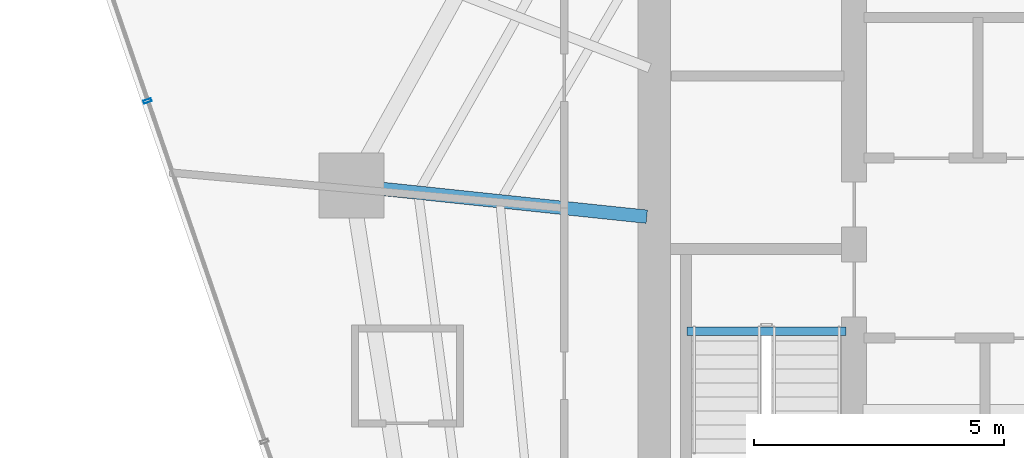
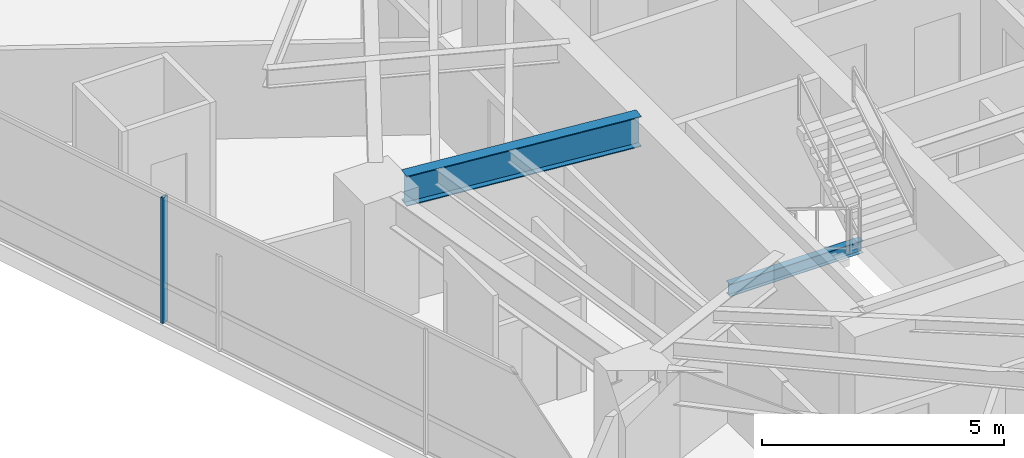
# One storey, part 9 of 33: 2 beams, 1 member, 1 element without a shape of its own.
"""IFC4 building model written with IfcOpenShell, lengths in metres."""

from ifc_helpers import new_model, si_unit, direction, frame, origin, origin_2d, place, context, subcontext, project, spatial, hollow_rectangle, i_section, extrude, material, layer, layer_set, material_profile, profile_set, type_object, element, aggregate, save


model = new_model("IFC4")

# Units and contexts
model_context = context("Model", 3, precision=1e-05, world=origin(), true_north=direction((0.0, 1.0)))
body_context = subcontext(model_context, "Body", "Model", "MODEL_VIEW")
ifc_project = project(units=[si_unit("LENGTHUNIT", "METRE"), si_unit("AREAUNIT", "SQUARE_METRE"), si_unit("VOLUMEUNIT", "CUBIC_METRE"), si_unit("PLANEANGLEUNIT", "RADIAN"), si_unit("MASSUNIT", "GRAM", prefix="KILO")], contexts=[model_context])

# Site, building, storey
site_placement = place(None, origin())
site = spatial("IfcSite", under=ifc_project, at=site_placement, CompositionType="ELEMENT")
building_placement = place(site_placement, origin())
building = spatial("IfcBuilding", under=site, at=building_placement, Name="Qarnah Convention Tower", CompositionType="ELEMENT")
storey_placement = place(building_placement, frame((0.0, 0.0, 27.0)))
storey = spatial("IfcBuildingStorey", under=building, at=storey_placement, Name="L05", CompositionType="ELEMENT", Elevation=27.0)

# Beams
ifc_material_1 = material(Name="Structural steel S355JR", Category="steel")
ifc_material_profile_1 = material_profile(ifc_material_1, i_section(OverallWidth=0.166015625, OverallDepth=0.31201171875, WebThickness=0.007080078125, FlangeThickness=0.010986328125, at=origin_2d()), Name="W310X45")
ifc_profile_set_1 = profile_set([ifc_material_profile_1], Name="Structural steel S355JR")
beam_type_1 = type_object("IfcBeamType", Name="BM-JST-W310", PredefinedType="JOIST", material=ifc_profile_set_1)
beam_1_placement = place(storey_placement, frame((27.4599609375, 25.217041015625, -0.156005859375), z_axis=(1.0, 0.0, 0.0), x_axis=(0.0, 1.0, 0.0)))
element("IfcBeam", 1, at=beam_1_placement, inside=storey, type_object=beam_type_1, Name="L05 stair landing trimmer beam BM-L05-ST1-TRM", PredefinedType="BEAM", context=body_context, shape_type="SweptSolid", body=[
    extrude(i_section(OverallWidth=0.166015625, OverallDepth=0.31201171875, WebThickness=0.007080078125, FlangeThickness=0.010986328125, at=origin_2d()), origin(), (0.0, 0.0, 1.0), 3.179931640625),
])
ifc_material_profile_2 = material_profile(ifc_material_1, i_section(OverallWidth=0.26806640625, OverallDepth=0.760009765625, WebThickness=0.014892578125, FlangeThickness=0.02197265625, at=origin_2d()), Name="W760X185")
ifc_profile_set_2 = profile_set([ifc_material_profile_2], Name="Structural steel S355JR")
beam_type_2 = type_object("IfcBeamType", Name="BM-RAD-W760", PredefinedType="BEAM", material=ifc_profile_set_2)
beam_2_placement = place(storey_placement, frame((26.65087890625, 27.509033203125, 2.7900390625), z_axis=(-0.99452834613, 0.10446707014, 0.0), x_axis=(-0.10446707014, -0.99452834613, 0.0)))
element("IfcBeam", 2, at=beam_2_placement, inside=storey, type_object=beam_type_2, Name="L05 beam BM-L05-RAD-05", PredefinedType="BEAM", context=body_context, shape_type="SweptSolid", body=[
    extrude(i_section(OverallWidth=0.26806640625, OverallDepth=0.760009765625, WebThickness=0.014892578125, FlangeThickness=0.02197265625, at=origin_2d()), origin(), (0.0, 0.0, 1.0), 5.31201171875),
])

# Curtain wall, member
ifc_material_2 = material(Name="Tempered Low-E dark glass", Category="glass")
ifc_layer = layer(ifc_material_2, 0.16796875)
ifc_layer_set = layer_set([ifc_layer], Name="Tempered Low-E dark glass")
curtain_wall_type = type_object("IfcCurtainWallType", Name="CWS-01", PredefinedType="NOTDEFINED", material=ifc_layer_set)
curtain_wall_placement = place(storey_placement, origin())
curtain_wall = element("IfcCurtainWall", 3, at=curtain_wall_placement, inside=storey, type_object=curtain_wall_type, Name="L05 unitised curtain wall CW-L05-F1", PredefinedType="NOTDEFINED")
ifc_material_3 = material(Name="Black anodised aluminium", Category="aluminium")
ifc_material_profile_3 = material_profile(ifc_material_3, hollow_rectangle(XDim=0.06005859375, YDim=0.159912109375, WallThickness=0.00390625, at=origin_2d()), Name="MUL-60X160")
ifc_profile_set_3 = profile_set([ifc_material_profile_3], Name="Black anodised aluminium")
member_type = type_object("IfcMemberType", Name="MUL-T1", PredefinedType="MULLION", material=ifc_profile_set_3)
member_placement = place(storey_placement, frame((16.659912109375, 29.825439453125, 0.0), z_axis=(0.0, 0.0, 1.0), x_axis=(-0.324891257672, 0.945751378899, 0.0)))
member = element("IfcMember", 4, at=member_placement, type_object=member_type, Name="CW-L05-F1 mullion 5", PredefinedType="MULLION", context=body_context, shape_type="SweptSolid", body=[
    extrude(hollow_rectangle(XDim=0.06005859375, YDim=0.159912109375, WallThickness=0.00390625, at=origin_2d()), origin(), (0.0, 0.0, 1.0), 3.169921875),
])
aggregate(curtain_wall, [member])

save(model, "model.ifc")
